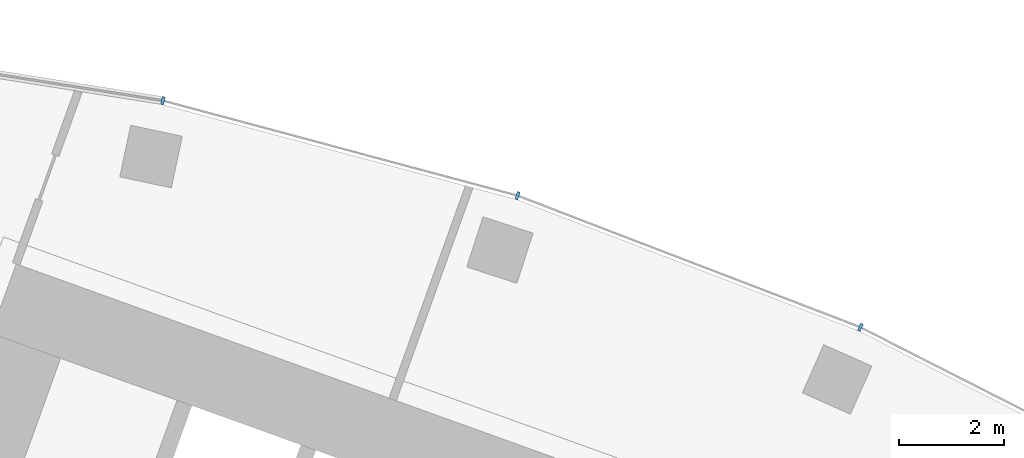
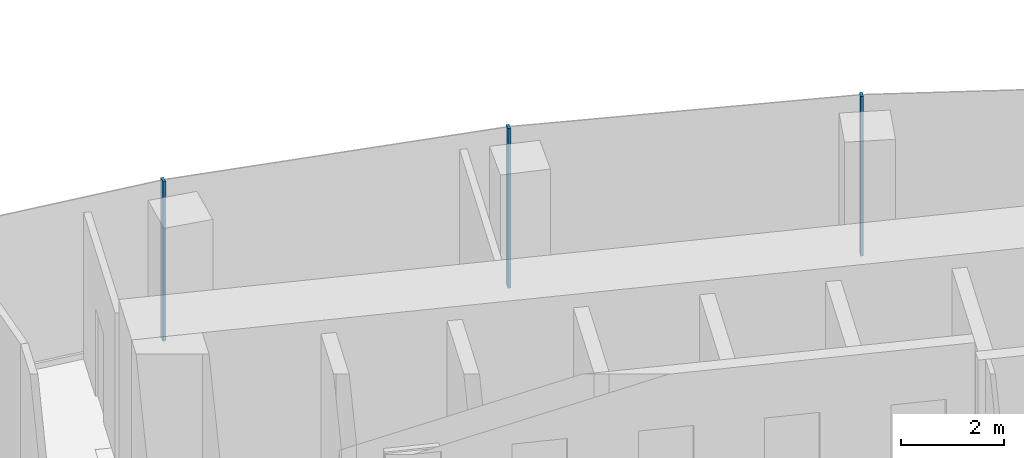
# One storey, part 10 of 21: 3 members, 1 element without a shape of its own.
"""IFC4 building model written with IfcOpenShell, lengths in metres."""

from ifc_helpers import new_model, si_unit, direction, frame, origin, origin_2d, place, context, subcontext, project, spatial, rectangle, extrude, material, layer, layer_set, material_profile, profile_set, type_object, element, aggregate, save


model = new_model("IFC4")

# Units and contexts
model_context = context("Model", 3, precision=1e-05, world=origin(), true_north=direction((0.0, 1.0)))
body_context = subcontext(model_context, "Body", "Model", "MODEL_VIEW")
ifc_project = project(units=[si_unit("LENGTHUNIT", "METRE"), si_unit("AREAUNIT", "SQUARE_METRE"), si_unit("VOLUMEUNIT", "CUBIC_METRE"), si_unit("PLANEANGLEUNIT", "RADIAN"), si_unit("MASSUNIT", "GRAM", prefix="KILO")], contexts=[model_context])

# Site, building, storey
site_placement = place(None, origin())
site = spatial("IfcSite", under=ifc_project, at=site_placement, CompositionType="ELEMENT")
building_placement = place(site_placement, origin())
building = spatial("IfcBuilding", under=site, at=building_placement, Name="Stone Belt Terrace Tower", CompositionType="ELEMENT")
storey_placement = place(building_placement, frame((0.0, 0.0, 159.199951171875)))
storey = spatial("IfcBuildingStorey", under=building, at=storey_placement, Name="L38", CompositionType="ELEMENT", Elevation=159.199951171875)

# Curtain wall, members
ifc_material = material(Name="Aluminium 6063-T6 anodised frame", Category="aluminium")
ifc_layer = layer(ifc_material, 0.14990234375)
ifc_layer_set = layer_set([ifc_layer], Name="CW-A unitised convex-face curtain wall")
curtain_wall_type = type_object("IfcCurtainWallType", Name="CW-A unitised convex-face curtain wall", PredefinedType="NOTDEFINED", material=ifc_layer_set)
curtain_wall_placement = place(storey_placement, origin())
curtain_wall = element("IfcCurtainWall", 1, at=curtain_wall_placement, inside=storey, type_object=curtain_wall_type, Name="CW-A convex face L38", PredefinedType="NOTDEFINED")
ifc_material_profile = material_profile(ifc_material, rectangle(XDim=0.14990234375, YDim=0.06005859375, at=origin_2d()), Name="Aluminium 6063-T6 60x150")
ifc_profile_set = profile_set([ifc_material_profile], Name="Aluminium 6063-T6 anodised frame")
member_type = type_object("IfcMemberType", Name="CW-A mullion 60 x 150", PredefinedType="MULLION", material=ifc_profile_set)
member_1_placement = place(storey_placement, frame((27.07861328125, 60.8193359375, 0.0), z_axis=(0.0, 0.0, 1.0), x_axis=(-0.406736643076, -0.913545457643, 0.0)))
member_1 = element("IfcMember", 2, at=member_1_placement, type_object=member_type, Name="CW-A mullion 5", PredefinedType="MULLION", context=body_context, shape_type="SweptSolid", body=[
    extrude(rectangle(XDim=0.14990234375, YDim=0.06005859375, at=origin_2d()), origin(), (0.0, 0.0, 1.0), 3.800048828125),
])
member_2_placement = place(storey_placement, frame((20.57275390625, 63.316650390625, 0.0), z_axis=(0.0, 0.0, 1.0), x_axis=(-0.309016994375, -0.951056516295, 0.0)))
member_2 = element("IfcMember", 3, at=member_2_placement, type_object=member_type, Name="CW-A mullion 6", PredefinedType="MULLION", context=body_context, shape_type="SweptSolid", body=[
    extrude(rectangle(XDim=0.14990234375, YDim=0.06005859375, at=origin_2d()), origin(), (0.0, 0.0, 1.0), 3.800048828125),
])
member_3_placement = place(storey_placement, frame((13.841796875, 65.120361328125, 0.0), z_axis=(0.0, 0.0, 1.0), x_axis=(-0.207911690818, -0.978147600734, 0.0)))
member_3 = element("IfcMember", 4, at=member_3_placement, type_object=member_type, Name="CW-A mullion 7", PredefinedType="MULLION", context=body_context, shape_type="SweptSolid", body=[
    extrude(rectangle(XDim=0.14990234375, YDim=0.06005859375, at=origin_2d()), origin(), (0.0, 0.0, 1.0), 3.800048828125),
])
aggregate(curtain_wall, [member_1, member_2, member_3])

save(model, "model.ifc")
